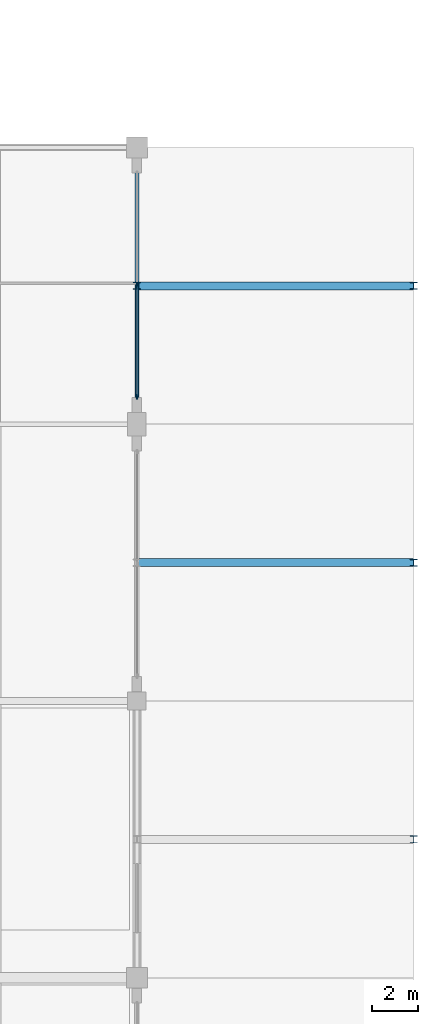
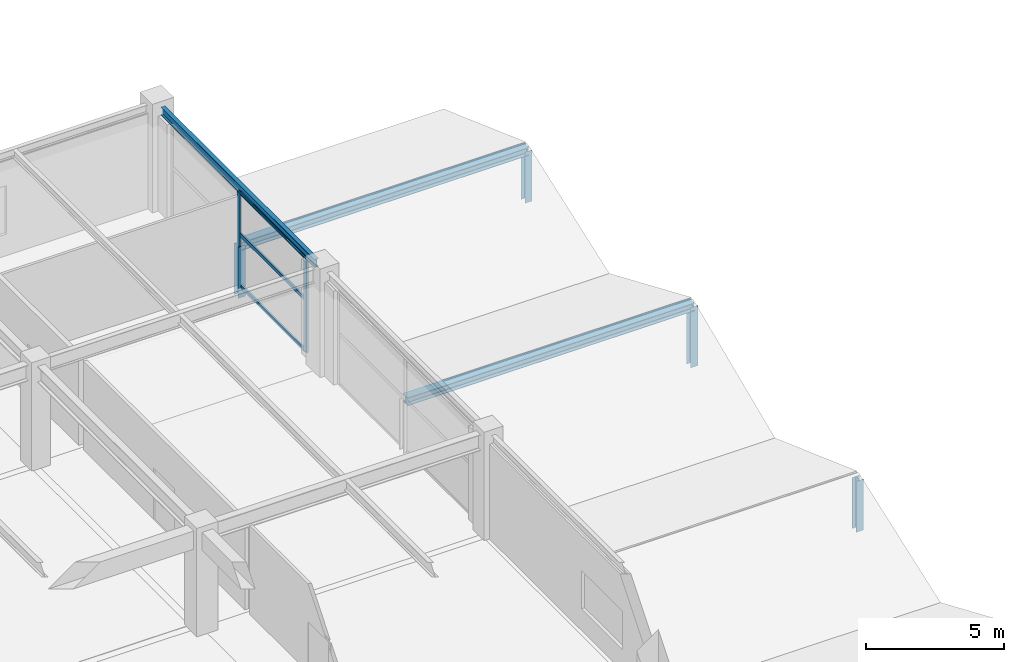
# One storey, part 50 of 134: 11 members, 1 beam, 1 element without a shape of its own.
"""IFC4 building model written with IfcOpenShell, lengths in metres."""

from ifc_helpers import new_model, si_unit, direction, frame, origin, origin_2d, place, context, subcontext, project, spatial, rectangle, i_section, extrude, material, layer, layer_set, material_profile, profile_set, type_object, element, aggregate, save


model = new_model("IFC4")

# Units and contexts
model_context = context("Model", 3, precision=1e-05, world=origin(), true_north=direction((0.0, 1.0)))
body_context = subcontext(model_context, "Body", "Model", "MODEL_VIEW")
ifc_project = project(units=[si_unit("LENGTHUNIT", "METRE"), si_unit("AREAUNIT", "SQUARE_METRE"), si_unit("VOLUMEUNIT", "CUBIC_METRE"), si_unit("PLANEANGLEUNIT", "RADIAN"), si_unit("MASSUNIT", "GRAM", prefix="KILO")], contexts=[model_context])

# Site, building, storey
site_placement = place(None, origin())
site = spatial("IfcSite", under=ifc_project, at=site_placement, CompositionType="ELEMENT")
building_placement = place(site_placement, origin())
building = spatial("IfcBuilding", under=site, at=building_placement, Name="Kazenohara Klinker Stadium", CompositionType="ELEMENT")
storey_placement = place(building_placement, frame((0.0, 0.0, 5.39990234375)))
storey = spatial("IfcBuildingStorey", under=building, at=storey_placement, Name="L01", CompositionType="ELEMENT", Elevation=5.39990234375)

# Beam
ifc_material_1 = material(Name="Steel S355", Category="steel")
ifc_material_profile_1 = material_profile(ifc_material_1, i_section(OverallWidth=0.175048828125, OverallDepth=0.35009765625, WebThickness=0.007080078125, FlangeThickness=0.010986328125, FilletRadius=0.012939453125, at=origin_2d()), Name="H-350x175x7x11")
ifc_profile_set_1 = profile_set([ifc_material_profile_1], Name="Steel S355")
beam_type = type_object("IfcBeamType", Name="BM-SPD02", PredefinedType="SPANDREL", material=ifc_profile_set_1)
beam_placement = place(storey_placement, frame((212.0, 120.419921875, 4.375), z_axis=(0.0, 1.0, 0.0), x_axis=(-1.0, 0.0, 0.0)))
element("IfcBeam", 1, at=beam_placement, inside=storey, type_object=beam_type, Name="Primary girder SP02 L01 18/L-M", PredefinedType="SPANDREL", context=body_context, shape_type="SweptSolid", body=[
    extrude(i_section(OverallWidth=0.175048828125, OverallDepth=0.35009765625, WebThickness=0.007080078125, FlangeThickness=0.010986328125, FilletRadius=0.012939453125, at=origin_2d()), origin(), (0.0, 0.0, 1.0), 11.16015625),
])

# Curtain wall, members
ifc_material_2 = material(Name="Anodised aluminium and triple glazing", Category="aluminium")
ifc_layer = layer(ifc_material_2, 0.159912109375)
ifc_layer_set = layer_set([ifc_layer], Name="Anodised aluminium and triple glazing")
curtain_wall_type = type_object("IfcCurtainWallType", Name="CW-SYS-01", PredefinedType="USERDEFINED", material=ifc_layer_set)
curtain_wall_placement = place(storey_placement, origin())
curtain_wall = element("IfcCurtainWall", 2, at=curtain_wall_placement, inside=storey, type_object=curtain_wall_type, Name="Unitised facade curtain wall CW01 L01 Y17-10", ObjectType="UNITISED CURTAIN WALL", PredefinedType="USERDEFINED")
ifc_material_3 = material(Name="Anodised aluminium 6063-T6", Category="aluminium")
ifc_material_profile_2 = material_profile(ifc_material_3, rectangle(XDim=0.074951171875, YDim=0.219970703125, at=origin_2d()), Name="ALU-MUL-75x220")
ifc_profile_set_2 = profile_set([ifc_material_profile_2], Name="Anodised aluminium 6063-T6")
member_type_1 = type_object("IfcMemberType", Name="CW-MUL-220", PredefinedType="MULLION", material=ifc_profile_set_2)
member_1_placement = place(storey_placement, frame((212.0, 121.19140625, 0.0), z_axis=(0.0, 0.0, 1.0), x_axis=(-1.0, 0.0, 0.0)))
member_1 = element("IfcMember", 3, at=member_1_placement, type_object=member_type_1, Name="CW01 mullion 1", PredefinedType="MULLION", context=body_context, shape_type="SweptSolid", body=[
    extrude(rectangle(XDim=0.074951171875, YDim=0.219970703125, at=origin_2d()), origin(), (0.0, 0.0, 1.0), 4.2001953125),
])
member_2_placement = place(storey_placement, frame((212.0, 126.02490234375, 0.0), z_axis=(0.0, 0.0, 1.0), x_axis=(-1.0, 0.0, 0.0)))
member_2 = element("IfcMember", 4, at=member_2_placement, type_object=member_type_1, Name="CW01 mullion 2", PredefinedType="MULLION", context=body_context, shape_type="SweptSolid", body=[
    extrude(rectangle(XDim=0.074951171875, YDim=0.219970703125, at=origin_2d()), origin(), (0.0, 0.0, 1.0), 4.2001953125),
])
ifc_material_profile_3 = material_profile(ifc_material_3, rectangle(XDim=0.074951171875, YDim=0.159912109375, at=origin_2d()), Name="ALU-TRN-75x160")
ifc_profile_set_3 = profile_set([ifc_material_profile_3], Name="Anodised aluminium 6063-T6")
member_type_2 = type_object("IfcMemberType", Name="CW-TRN-160", PredefinedType="USERDEFINED", material=ifc_profile_set_3)
member_3_placement = place(storey_placement, frame((212.0, 121.22900390625, 0.03759765625), z_axis=(0.0, 1.0, 0.0), x_axis=(-1.0, 0.0, 0.0)))
member_3 = element("IfcMember", 5, at=member_3_placement, type_object=member_type_2, Name="CW01 transom 1.1", ObjectType="TRANSOM", PredefinedType="USERDEFINED", context=body_context, shape_type="SweptSolid", body=[
    extrude(rectangle(XDim=0.074951171875, YDim=0.159912109375, at=origin_2d()), origin(), (0.0, 0.0, 1.0), 4.758544921875),
])
member_4_placement = place(storey_placement, frame((212.0, 121.22900390625, 2.31005859375), z_axis=(0.0, 1.0, 0.0), x_axis=(-1.0, 0.0, 0.0)))
member_4 = element("IfcMember", 6, at=member_4_placement, type_object=member_type_2, Name="CW01 transom 1.2", ObjectType="TRANSOM", PredefinedType="USERDEFINED", context=body_context, shape_type="SweptSolid", body=[
    extrude(rectangle(XDim=0.074951171875, YDim=0.159912109375, at=origin_2d()), origin(), (0.0, 0.0, 1.0), 4.758544921875),
])
member_5_placement = place(storey_placement, frame((212.0, 121.22900390625, 4.16259765625), z_axis=(0.0, 1.0, 0.0), x_axis=(-1.0, 0.0, 0.0)))
member_5 = element("IfcMember", 7, at=member_5_placement, type_object=member_type_2, Name="CW01 transom 1.3", ObjectType="TRANSOM", PredefinedType="USERDEFINED", context=body_context, shape_type="SweptSolid", body=[
    extrude(rectangle(XDim=0.074951171875, YDim=0.159912109375, at=origin_2d()), origin(), (0.0, 0.0, 1.0), 4.758544921875),
])
aggregate(curtain_wall, [member_1, member_2, member_3, member_4, member_5])

# Members
ifc_material_profile_4 = material_profile(ifc_material_1, i_section(OverallWidth=0.35009765625, OverallDepth=0.35009765625, WebThickness=0.011962890625, FlangeThickness=0.01904296875, FilletRadius=0.012939453125, at=origin_2d()), Name="H-350x350x12x19")
ifc_profile_set_4 = profile_set([ifc_material_profile_4], Name="Steel S355")
member_type_3 = type_object("IfcMemberType", Name="MEM-CHD02", PredefinedType="CHORD", material=ifc_profile_set_4)
for number, where, z_axis, x_axis, name in (
    (8, (212.0, 114.0, 2.22998046875), (1.0, 0.0, 0.0), (0.0, 1.0, 0.0), "Stepped pavilion gable ridge beam L01 18/K"),
    (9, (212.0, 126.0, 1.830078125), (1.0, 0.0, 0.0), (0.0, 1.0, 0.0), "Stepped pavilion gable ridge beam L01 18/L"),
):
    element("IfcMember", number, at=place(storey_placement, frame(where, z_axis=z_axis, x_axis=x_axis)), inside=storey, type_object=member_type_3, Name=name, PredefinedType="CHORD", context=body_context, shape_type="SweptSolid", body=[
        extrude(i_section(OverallWidth=0.35009765625, OverallDepth=0.35009765625, WebThickness=0.011962890625, FlangeThickness=0.01904296875, FilletRadius=0.012939453125, at=origin_2d()), origin(), (0.0, 0.0, 1.0), 12.0),
    ])
ifc_material_profile_5 = material_profile(ifc_material_1, i_section(OverallWidth=0.300048828125, OverallDepth=0.300048828125, WebThickness=0.010009765625, FlangeThickness=0.014892578125, FilletRadius=0.012939453125, at=origin_2d()), Name="H-300x300x10x15")
ifc_profile_set_5 = profile_set([ifc_material_profile_5], Name="Steel S355")
member_type_4 = type_object("IfcMemberType", Name="MEM-STR01", PredefinedType="STRUT", material=ifc_profile_set_5)
for number, where, z_axis, x_axis, name in (
    (10, (212.0, 126.0, -0.429931640625), (0.0, 0.0, 1.0), (1.0, 0.0, 0.0), "Stepped pavilion gable king-post L01 18/L W"),
    (11, (224.0, 102.0, -0.429931640625), (0.0, 0.0, 1.0), (1.0, 0.0, 0.0), "Stepped pavilion gable king-post L01 18/J E"),
):
    element("IfcMember", number, at=place(storey_placement, frame(where, z_axis=z_axis, x_axis=x_axis)), inside=storey, type_object=member_type_4, Name=name, PredefinedType="STRUT", context=body_context, shape_type="SweptSolid", body=[
        extrude(i_section(OverallWidth=0.300048828125, OverallDepth=0.300048828125, WebThickness=0.010009765625, FlangeThickness=0.014892578125, FilletRadius=0.012939453125, at=origin_2d()), origin(), (0.0, 0.0, 1.0), 2.260009765625),
    ])
member_6_placement = place(storey_placement, frame((224.0, 114.0, -0.429931640625), z_axis=(0.0, 0.0, 1.0), x_axis=(1.0, 0.0, 0.0)))
element("IfcMember", 12, at=member_6_placement, inside=storey, type_object=member_type_4, Name="Stepped pavilion gable king-post L01 18/K E", PredefinedType="STRUT", context=body_context, shape_type="SweptSolid", body=[
    extrude(i_section(OverallWidth=0.300048828125, OverallDepth=0.300048828125, WebThickness=0.010009765625, FlangeThickness=0.014892578125, FilletRadius=0.012939453125, at=origin_2d()), origin(), (0.0, 0.0, 1.0), 2.659912109375),
])
member_7_placement = place(storey_placement, frame((224.0, 126.0, -0.429931640625), z_axis=(0.0, 0.0, 1.0), x_axis=(1.0, 0.0, 0.0)))
element("IfcMember", 13, at=member_7_placement, inside=storey, type_object=member_type_4, Name="Stepped pavilion gable king-post L01 18/L E", PredefinedType="STRUT", context=body_context, shape_type="SweptSolid", body=[
    extrude(i_section(OverallWidth=0.300048828125, OverallDepth=0.300048828125, WebThickness=0.010009765625, FlangeThickness=0.014892578125, FilletRadius=0.012939453125, at=origin_2d()), origin(), (0.0, 0.0, 1.0), 2.260009765625),
])

save(model, "model.ifc")
